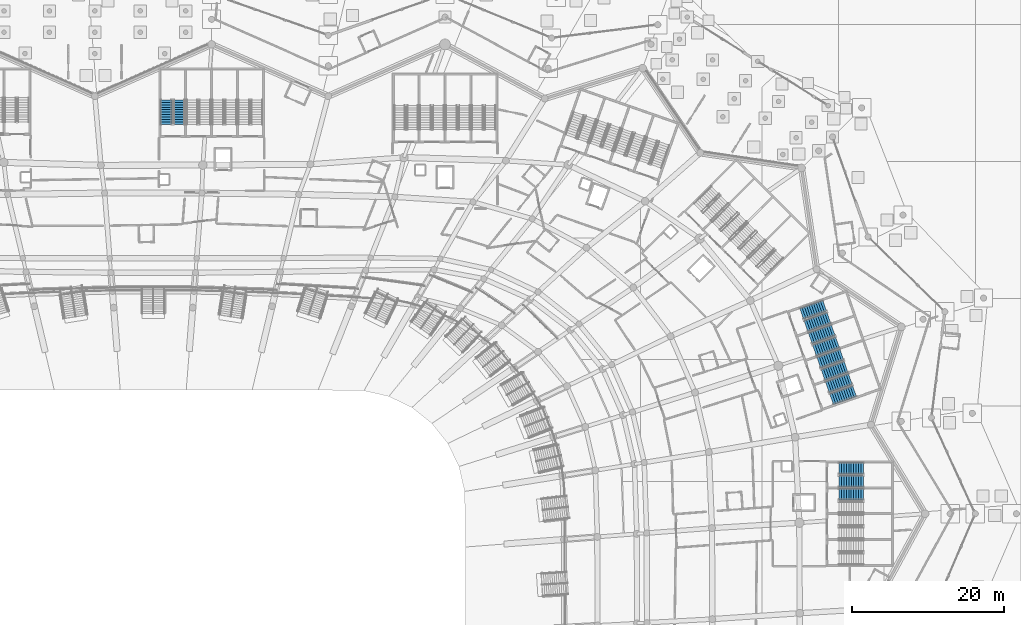
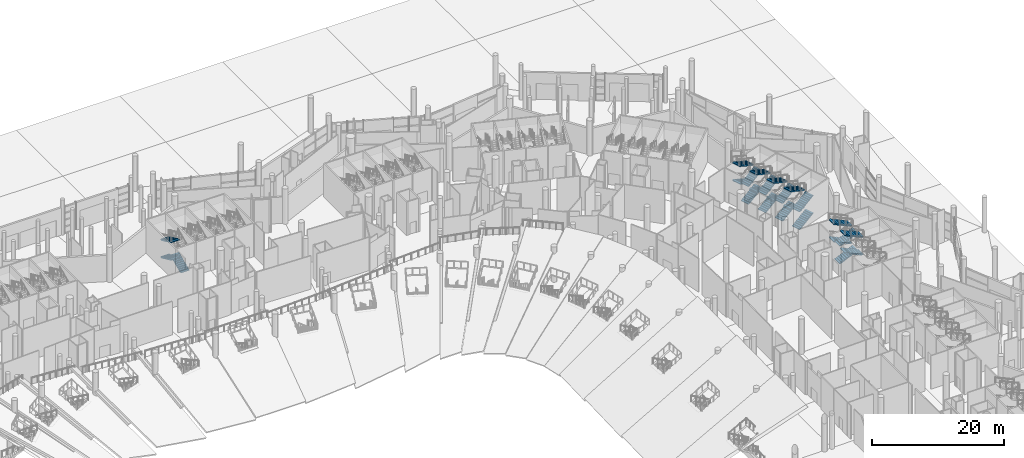
# One storey, part 179 of 255: 25 stair flights, 7 elements without a shape of their own.
"""IFC4 building model written with IfcOpenShell, lengths in metres."""

from ifc_helpers import new_model, si_unit, direction, frame, origin, place, context, subcontext, project, spatial, polyline, outline, extrude, material, type_object, element, aggregate, save


model = new_model("IFC4")

# Units and contexts
model_context = context("Model", 3, precision=1e-05, world=origin(), true_north=direction((0.0, 1.0)))
body_context = subcontext(model_context, "Body", "Model", "MODEL_VIEW")
ifc_project = project(units=[si_unit("LENGTHUNIT", "METRE"), si_unit("AREAUNIT", "SQUARE_METRE"), si_unit("VOLUMEUNIT", "CUBIC_METRE"), si_unit("PLANEANGLEUNIT", "RADIAN"), si_unit("MASSUNIT", "GRAM", prefix="KILO")], contexts=[model_context])

# Site, building, storey
site_placement = place(None, origin())
site = spatial("IfcSite", under=ifc_project, at=site_placement, CompositionType="ELEMENT")
building_placement = place(site_placement, origin())
building = spatial("IfcBuilding", under=site, at=building_placement, Name="Meseta Stadium", CompositionType="ELEMENT")
storey_placement = place(building_placement, origin())
storey = spatial("IfcBuildingStorey", under=building, at=storey_placement, Name="L00", CompositionType="ELEMENT", Elevation=0.0)

# Stair, stair flights
ifc_material_1 = material(Name="Concrete C40/50", Category="concrete")
stair_type = type_object("IfcStairType", Name="Exit stair 4 flights 148 mm risers", PredefinedType="HALF_TURN_STAIR", material=ifc_material_1)
stair_1_placement = place(storey_placement, origin())
stair_1 = element("IfcStair", 1, at=stair_1_placement, inside=storey, type_object=stair_type, Name="ST19 L00", PredefinedType="HALF_TURN_STAIR")
ifc_material_2 = material(Name="Concrete C40/50", Category="concrete")
stair_flight_type = type_object("IfcStairFlightType", Name="Exit stair flight 148 mm risers, 4 per storey", PredefinedType="STRAIGHT", material=ifc_material_2)
stair_flight_1_placement = place(storey_placement, frame((93.300048828125, 46.300048828125, 1.625), z_axis=(0.0, 0.0, 1.0), x_axis=(-1.0, 0.0, 0.0)))
stair_flight_1 = element("IfcStairFlight", 2, at=stair_flight_1_placement, type_object=stair_flight_type, Name="ST19 L00 flight 2", NumberOfRisers=11, NumberOfTreads=10, PredefinedType="STRAIGHT", RiserHeight=0.147727273, TreadLength=0.32, context=body_context, shape_type="SweptSolid", body=[
    extrude(outline(polyline([(0.0, 0.0), (0.0, 0.147705078125), (0.320068359375, 0.147705078125), (0.320068359375, 0.29541015625), (0.639892578125, 0.29541015625), (0.639892578125, 0.443115234375), (0.9599609375, 0.443115234375), (0.9599609375, 0.5908203125), (1.280029296875, 0.5908203125), (1.280029296875, 0.738525390625), (1.60009765625, 0.738525390625), (1.60009765625, 0.886474609375), (1.919921875, 0.886474609375), (1.919921875, 1.0341796875), (2.239990234375, 1.0341796875), (2.239990234375, 1.181884765625), (2.56005859375, 1.181884765625), (2.56005859375, 1.32958984375), (2.8798828125, 1.32958984375), (2.8798828125, 1.477294921875), (3.199951171875, 1.477294921875), (3.199951171875, 1.312255859375), (0.357666015625, 0.0), (0.0, 0.0)])), frame((0.0, 0.75, 0.0), z_axis=(0.0, -1.0, 0.0), x_axis=(1.0, 0.0, 0.0)), (0.0, 0.0, 1.0), 1.5),
])
stair_flight_2_placement = place(storey_placement, frame((93.300048828125, 46.300048828125, 4.875), z_axis=(0.0, 0.0, 1.0), x_axis=(-1.0, 0.0, 0.0)))
stair_flight_2 = element("IfcStairFlight", 3, at=stair_flight_2_placement, type_object=stair_flight_type, Name="ST19 L00 flight 4", NumberOfRisers=11, NumberOfTreads=10, PredefinedType="STRAIGHT", RiserHeight=0.147727273, TreadLength=0.32, context=body_context, shape_type="SweptSolid", body=[
    extrude(outline(polyline([(0.0, 0.0), (0.0, 0.147705078125), (0.320068359375, 0.147705078125), (0.320068359375, 0.29541015625), (0.639892578125, 0.29541015625), (0.639892578125, 0.443115234375), (0.9599609375, 0.443115234375), (0.9599609375, 0.5908203125), (1.280029296875, 0.5908203125), (1.280029296875, 0.738525390625), (1.60009765625, 0.738525390625), (1.60009765625, 0.886474609375), (1.919921875, 0.886474609375), (1.919921875, 1.0341796875), (2.239990234375, 1.0341796875), (2.239990234375, 1.181884765625), (2.56005859375, 1.181884765625), (2.56005859375, 1.32958984375), (2.8798828125, 1.32958984375), (2.8798828125, 1.477294921875), (3.199951171875, 1.477294921875), (3.199951171875, 1.312255859375), (0.357666015625, 0.0), (0.0, 0.0)])), frame((0.0, 0.75, 0.0), z_axis=(0.0, -1.0, 0.0), x_axis=(1.0, 0.0, 0.0)), (0.0, 0.0, 1.0), 1.5),
])
aggregate(stair_1, [stair_flight_1, stair_flight_2])

stair_2_placement = place(storey_placement, origin())
stair_2 = element("IfcStair", 4, at=stair_2_placement, inside=storey, type_object=stair_type, Name="ST20 L00", PredefinedType="HALF_TURN_STAIR")
stair_flight_3_placement = place(storey_placement, frame((90.10009765625, 48.0, 0.0), z_axis=(0.0, 0.0, 1.0), x_axis=(1.0, 0.0, 0.0)))
stair_flight_3 = element("IfcStairFlight", 5, at=stair_flight_3_placement, type_object=stair_flight_type, Name="ST20 L00 flight 1", NumberOfRisers=11, NumberOfTreads=10, PredefinedType="STRAIGHT", RiserHeight=0.147727273, TreadLength=0.32, context=body_context, shape_type="SweptSolid", body=[
    extrude(outline(polyline([(0.0, 0.0), (0.0, 0.147705078125), (0.320068359375, 0.147705078125), (0.320068359375, 0.29541015625), (0.639892578125, 0.29541015625), (0.639892578125, 0.443115234375), (0.9599609375, 0.443115234375), (0.9599609375, 0.5908203125), (1.280029296875, 0.5908203125), (1.280029296875, 0.738525390625), (1.60009765625, 0.738525390625), (1.60009765625, 0.886474609375), (1.919921875, 0.886474609375), (1.919921875, 1.0341796875), (2.239990234375, 1.0341796875), (2.239990234375, 1.181884765625), (2.56005859375, 1.181884765625), (2.56005859375, 1.32958984375), (2.8798828125, 1.32958984375), (2.8798828125, 1.477294921875), (3.199951171875, 1.477294921875), (3.199951171875, 1.312255859375), (0.357666015625, 0.0), (0.0, 0.0)])), frame((0.0, 0.75, 0.0), z_axis=(0.0, -1.0, 0.0), x_axis=(1.0, 0.0, 0.0)), (0.0, 0.0, 1.0), 1.5),
])
stair_flight_4_placement = place(storey_placement, frame((93.300048828125, 49.699951171875, 1.625), z_axis=(0.0, 0.0, 1.0), x_axis=(-1.0, 0.0, 0.0)))
stair_flight_4 = element("IfcStairFlight", 6, at=stair_flight_4_placement, type_object=stair_flight_type, Name="ST20 L00 flight 2", NumberOfRisers=11, NumberOfTreads=10, PredefinedType="STRAIGHT", RiserHeight=0.147727273, TreadLength=0.32, context=body_context, shape_type="SweptSolid", body=[
    extrude(outline(polyline([(0.0, 0.0), (0.0, 0.147705078125), (0.320068359375, 0.147705078125), (0.320068359375, 0.29541015625), (0.639892578125, 0.29541015625), (0.639892578125, 0.443115234375), (0.9599609375, 0.443115234375), (0.9599609375, 0.5908203125), (1.280029296875, 0.5908203125), (1.280029296875, 0.738525390625), (1.60009765625, 0.738525390625), (1.60009765625, 0.886474609375), (1.919921875, 0.886474609375), (1.919921875, 1.0341796875), (2.239990234375, 1.0341796875), (2.239990234375, 1.181884765625), (2.56005859375, 1.181884765625), (2.56005859375, 1.32958984375), (2.8798828125, 1.32958984375), (2.8798828125, 1.477294921875), (3.199951171875, 1.477294921875), (3.199951171875, 1.312255859375), (0.357666015625, 0.0), (0.0, 0.0)])), frame((0.0, 0.75, 0.0), z_axis=(0.0, -1.0, 0.0), x_axis=(1.0, 0.0, 0.0)), (0.0, 0.0, 1.0), 1.5),
])
stair_flight_5_placement = place(storey_placement, frame((90.10009765625, 48.0, 3.25), z_axis=(0.0, 0.0, 1.0), x_axis=(1.0, 0.0, 0.0)))
stair_flight_5 = element("IfcStairFlight", 7, at=stair_flight_5_placement, type_object=stair_flight_type, Name="ST20 L00 flight 3", NumberOfRisers=11, NumberOfTreads=10, PredefinedType="STRAIGHT", RiserHeight=0.147727273, TreadLength=0.32, context=body_context, shape_type="SweptSolid", body=[
    extrude(outline(polyline([(0.0, 0.0), (0.0, 0.147705078125), (0.320068359375, 0.147705078125), (0.320068359375, 0.29541015625), (0.639892578125, 0.29541015625), (0.639892578125, 0.443115234375), (0.9599609375, 0.443115234375), (0.9599609375, 0.5908203125), (1.280029296875, 0.5908203125), (1.280029296875, 0.738525390625), (1.60009765625, 0.738525390625), (1.60009765625, 0.886474609375), (1.919921875, 0.886474609375), (1.919921875, 1.0341796875), (2.239990234375, 1.0341796875), (2.239990234375, 1.181884765625), (2.56005859375, 1.181884765625), (2.56005859375, 1.32958984375), (2.8798828125, 1.32958984375), (2.8798828125, 1.477294921875), (3.199951171875, 1.477294921875), (3.199951171875, 1.312255859375), (0.357666015625, 0.0), (0.0, 0.0)])), frame((0.0, 0.75, 0.0), z_axis=(0.0, -1.0, 0.0), x_axis=(1.0, 0.0, 0.0)), (0.0, 0.0, 1.0), 1.5),
])
stair_flight_6_placement = place(storey_placement, frame((93.300048828125, 49.699951171875, 4.875), z_axis=(0.0, 0.0, 1.0), x_axis=(-1.0, 0.0, 0.0)))
stair_flight_6 = element("IfcStairFlight", 8, at=stair_flight_6_placement, type_object=stair_flight_type, Name="ST20 L00 flight 4", NumberOfRisers=11, NumberOfTreads=10, PredefinedType="STRAIGHT", RiserHeight=0.147727273, TreadLength=0.32, context=body_context, shape_type="SweptSolid", body=[
    extrude(outline(polyline([(0.0, 0.0), (0.0, 0.147705078125), (0.320068359375, 0.147705078125), (0.320068359375, 0.29541015625), (0.639892578125, 0.29541015625), (0.639892578125, 0.443115234375), (0.9599609375, 0.443115234375), (0.9599609375, 0.5908203125), (1.280029296875, 0.5908203125), (1.280029296875, 0.738525390625), (1.60009765625, 0.738525390625), (1.60009765625, 0.886474609375), (1.919921875, 0.886474609375), (1.919921875, 1.0341796875), (2.239990234375, 1.0341796875), (2.239990234375, 1.181884765625), (2.56005859375, 1.181884765625), (2.56005859375, 1.32958984375), (2.8798828125, 1.32958984375), (2.8798828125, 1.477294921875), (3.199951171875, 1.477294921875), (3.199951171875, 1.312255859375), (0.357666015625, 0.0), (0.0, 0.0)])), frame((0.0, 0.75, 0.0), z_axis=(0.0, -1.0, 0.0), x_axis=(1.0, 0.0, 0.0)), (0.0, 0.0, 1.0), 1.5),
])
aggregate(stair_2, [stair_flight_3, stair_flight_4, stair_flight_5, stair_flight_6])

stair_3_placement = place(storey_placement, origin())
stair_3 = element("IfcStair", 9, at=stair_3_placement, inside=storey, type_object=stair_type, Name="ST21 L00", PredefinedType="HALF_TURN_STAIR")
stair_flight_7_placement = place(storey_placement, frame((89.118408203125, 58.7841796875, 0.0), z_axis=(0.0, 0.0, 1.0), x_axis=(0.943883331955, 0.330279057248, 0.0)))
stair_flight_7 = element("IfcStairFlight", 10, at=stair_flight_7_placement, type_object=stair_flight_type, Name="ST21 L00 flight 1", NumberOfRisers=11, NumberOfTreads=10, PredefinedType="STRAIGHT", RiserHeight=0.147727273, TreadLength=0.32, context=body_context, shape_type="SweptSolid", body=[
    extrude(outline(polyline([(0.0, 0.0), (0.0, 0.147705078125), (0.320068359375, 0.147705078125), (0.320068359375, 0.29541015625), (0.639892578125, 0.29541015625), (0.639892578125, 0.443115234375), (0.9599609375, 0.443115234375), (0.9599609375, 0.5908203125), (1.280029296875, 0.5908203125), (1.280029296875, 0.738525390625), (1.60009765625, 0.738525390625), (1.60009765625, 0.886474609375), (1.919921875, 0.886474609375), (1.919921875, 1.0341796875), (2.239990234375, 1.0341796875), (2.239990234375, 1.181884765625), (2.56005859375, 1.181884765625), (2.56005859375, 1.32958984375), (2.8798828125, 1.32958984375), (2.8798828125, 1.477294921875), (3.199951171875, 1.477294921875), (3.199951171875, 1.312255859375), (0.357666015625, 0.0), (0.0, 0.0)])), frame((0.0, 0.75, 0.0), z_axis=(0.0, -1.0, 0.0), x_axis=(1.0, 0.0, 0.0)), (0.0, 0.0, 1.0), 1.5),
])
stair_flight_8_placement = place(storey_placement, frame((91.577392578125, 61.445556640625, 1.625), z_axis=(0.0, 0.0, 1.0), x_axis=(-0.943883331955, -0.330279057248, 0.0)))
stair_flight_8 = element("IfcStairFlight", 11, at=stair_flight_8_placement, type_object=stair_flight_type, Name="ST21 L00 flight 2", NumberOfRisers=11, NumberOfTreads=10, PredefinedType="STRAIGHT", RiserHeight=0.147727273, TreadLength=0.32, context=body_context, shape_type="SweptSolid", body=[
    extrude(outline(polyline([(0.0, 0.0), (0.0, 0.147705078125), (0.320068359375, 0.147705078125), (0.320068359375, 0.29541015625), (0.639892578125, 0.29541015625), (0.639892578125, 0.443115234375), (0.9599609375, 0.443115234375), (0.9599609375, 0.5908203125), (1.280029296875, 0.5908203125), (1.280029296875, 0.738525390625), (1.60009765625, 0.738525390625), (1.60009765625, 0.886474609375), (1.919921875, 0.886474609375), (1.919921875, 1.0341796875), (2.239990234375, 1.0341796875), (2.239990234375, 1.181884765625), (2.56005859375, 1.181884765625), (2.56005859375, 1.32958984375), (2.8798828125, 1.32958984375), (2.8798828125, 1.477294921875), (3.199951171875, 1.477294921875), (3.199951171875, 1.312255859375), (0.357666015625, 0.0), (0.0, 0.0)])), frame((0.0, 0.75, 0.0), z_axis=(0.0, -1.0, 0.0), x_axis=(1.0, 0.0, 0.0)), (0.0, 0.0, 1.0), 1.5),
])
stair_flight_9_placement = place(storey_placement, frame((89.118408203125, 58.7841796875, 3.25), z_axis=(0.0, 0.0, 1.0), x_axis=(0.943883331955, 0.330279057248, 0.0)))
stair_flight_9 = element("IfcStairFlight", 12, at=stair_flight_9_placement, type_object=stair_flight_type, Name="ST21 L00 flight 3", NumberOfRisers=11, NumberOfTreads=10, PredefinedType="STRAIGHT", RiserHeight=0.147727273, TreadLength=0.32, context=body_context, shape_type="SweptSolid", body=[
    extrude(outline(polyline([(0.0, 0.0), (0.0, 0.147705078125), (0.320068359375, 0.147705078125), (0.320068359375, 0.29541015625), (0.639892578125, 0.29541015625), (0.639892578125, 0.443115234375), (0.9599609375, 0.443115234375), (0.9599609375, 0.5908203125), (1.280029296875, 0.5908203125), (1.280029296875, 0.738525390625), (1.60009765625, 0.738525390625), (1.60009765625, 0.886474609375), (1.919921875, 0.886474609375), (1.919921875, 1.0341796875), (2.239990234375, 1.0341796875), (2.239990234375, 1.181884765625), (2.56005859375, 1.181884765625), (2.56005859375, 1.32958984375), (2.8798828125, 1.32958984375), (2.8798828125, 1.477294921875), (3.199951171875, 1.477294921875), (3.199951171875, 1.312255859375), (0.357666015625, 0.0), (0.0, 0.0)])), frame((0.0, 0.75, 0.0), z_axis=(0.0, -1.0, 0.0), x_axis=(1.0, 0.0, 0.0)), (0.0, 0.0, 1.0), 1.5),
])
stair_flight_10_placement = place(storey_placement, frame((91.577392578125, 61.445556640625, 4.875), z_axis=(0.0, 0.0, 1.0), x_axis=(-0.943883331955, -0.330279057248, 0.0)))
stair_flight_10 = element("IfcStairFlight", 13, at=stair_flight_10_placement, type_object=stair_flight_type, Name="ST21 L00 flight 4", NumberOfRisers=11, NumberOfTreads=10, PredefinedType="STRAIGHT", RiserHeight=0.147727273, TreadLength=0.32, context=body_context, shape_type="SweptSolid", body=[
    extrude(outline(polyline([(0.0, 0.0), (0.0, 0.147705078125), (0.320068359375, 0.147705078125), (0.320068359375, 0.29541015625), (0.639892578125, 0.29541015625), (0.639892578125, 0.443115234375), (0.9599609375, 0.443115234375), (0.9599609375, 0.5908203125), (1.280029296875, 0.5908203125), (1.280029296875, 0.738525390625), (1.60009765625, 0.738525390625), (1.60009765625, 0.886474609375), (1.919921875, 0.886474609375), (1.919921875, 1.0341796875), (2.239990234375, 1.0341796875), (2.239990234375, 1.181884765625), (2.56005859375, 1.181884765625), (2.56005859375, 1.32958984375), (2.8798828125, 1.32958984375), (2.8798828125, 1.477294921875), (3.199951171875, 1.477294921875), (3.199951171875, 1.312255859375), (0.357666015625, 0.0), (0.0, 0.0)])), frame((0.0, 0.75, 0.0), z_axis=(0.0, -1.0, 0.0), x_axis=(1.0, 0.0, 0.0)), (0.0, 0.0, 1.0), 1.5),
])
aggregate(stair_3, [stair_flight_7, stair_flight_8, stair_flight_9, stair_flight_10])

stair_4_placement = place(storey_placement, origin())
stair_4 = element("IfcStair", 14, at=stair_4_placement, inside=storey, type_object=stair_type, Name="ST22 L00", PredefinedType="HALF_TURN_STAIR")
stair_flight_11_placement = place(storey_placement, frame((87.99560546875, 61.9931640625, 0.0), z_axis=(0.0, 0.0, 1.0), x_axis=(0.943883331955, 0.330279057248, 0.0)))
stair_flight_11 = element("IfcStairFlight", 15, at=stair_flight_11_placement, type_object=stair_flight_type, Name="ST22 L00 flight 1", NumberOfRisers=11, NumberOfTreads=10, PredefinedType="STRAIGHT", RiserHeight=0.147727273, TreadLength=0.32, context=body_context, shape_type="SweptSolid", body=[
    extrude(outline(polyline([(0.0, 0.0), (0.0, 0.147705078125), (0.320068359375, 0.147705078125), (0.320068359375, 0.29541015625), (0.639892578125, 0.29541015625), (0.639892578125, 0.443115234375), (0.9599609375, 0.443115234375), (0.9599609375, 0.5908203125), (1.280029296875, 0.5908203125), (1.280029296875, 0.738525390625), (1.60009765625, 0.738525390625), (1.60009765625, 0.886474609375), (1.919921875, 0.886474609375), (1.919921875, 1.0341796875), (2.239990234375, 1.0341796875), (2.239990234375, 1.181884765625), (2.56005859375, 1.181884765625), (2.56005859375, 1.32958984375), (2.8798828125, 1.32958984375), (2.8798828125, 1.477294921875), (3.199951171875, 1.477294921875), (3.199951171875, 1.312255859375), (0.357666015625, 0.0), (0.0, 0.0)])), frame((0.0, 0.75, 0.0), z_axis=(0.0, -1.0, 0.0), x_axis=(1.0, 0.0, 0.0)), (0.0, 0.0, 1.0), 1.5),
])
stair_flight_12_placement = place(storey_placement, frame((90.45458984375, 64.65478515625, 1.625), z_axis=(0.0, 0.0, 1.0), x_axis=(-0.943883331955, -0.330279057248, 0.0)))
stair_flight_12 = element("IfcStairFlight", 16, at=stair_flight_12_placement, type_object=stair_flight_type, Name="ST22 L00 flight 2", NumberOfRisers=11, NumberOfTreads=10, PredefinedType="STRAIGHT", RiserHeight=0.147727273, TreadLength=0.32, context=body_context, shape_type="SweptSolid", body=[
    extrude(outline(polyline([(0.0, 0.0), (0.0, 0.147705078125), (0.320068359375, 0.147705078125), (0.320068359375, 0.29541015625), (0.639892578125, 0.29541015625), (0.639892578125, 0.443115234375), (0.9599609375, 0.443115234375), (0.9599609375, 0.5908203125), (1.280029296875, 0.5908203125), (1.280029296875, 0.738525390625), (1.60009765625, 0.738525390625), (1.60009765625, 0.886474609375), (1.919921875, 0.886474609375), (1.919921875, 1.0341796875), (2.239990234375, 1.0341796875), (2.239990234375, 1.181884765625), (2.56005859375, 1.181884765625), (2.56005859375, 1.32958984375), (2.8798828125, 1.32958984375), (2.8798828125, 1.477294921875), (3.199951171875, 1.477294921875), (3.199951171875, 1.312255859375), (0.357666015625, 0.0), (0.0, 0.0)])), frame((0.0, 0.75, 0.0), z_axis=(0.0, -1.0, 0.0), x_axis=(1.0, 0.0, 0.0)), (0.0, 0.0, 1.0), 1.5),
])
stair_flight_13_placement = place(storey_placement, frame((87.99560546875, 61.9931640625, 3.25), z_axis=(0.0, 0.0, 1.0), x_axis=(0.943883331955, 0.330279057248, 0.0)))
stair_flight_13 = element("IfcStairFlight", 17, at=stair_flight_13_placement, type_object=stair_flight_type, Name="ST22 L00 flight 3", NumberOfRisers=11, NumberOfTreads=10, PredefinedType="STRAIGHT", RiserHeight=0.147727273, TreadLength=0.32, context=body_context, shape_type="SweptSolid", body=[
    extrude(outline(polyline([(0.0, 0.0), (0.0, 0.147705078125), (0.320068359375, 0.147705078125), (0.320068359375, 0.29541015625), (0.639892578125, 0.29541015625), (0.639892578125, 0.443115234375), (0.9599609375, 0.443115234375), (0.9599609375, 0.5908203125), (1.280029296875, 0.5908203125), (1.280029296875, 0.738525390625), (1.60009765625, 0.738525390625), (1.60009765625, 0.886474609375), (1.919921875, 0.886474609375), (1.919921875, 1.0341796875), (2.239990234375, 1.0341796875), (2.239990234375, 1.181884765625), (2.56005859375, 1.181884765625), (2.56005859375, 1.32958984375), (2.8798828125, 1.32958984375), (2.8798828125, 1.477294921875), (3.199951171875, 1.477294921875), (3.199951171875, 1.312255859375), (0.357666015625, 0.0), (0.0, 0.0)])), frame((0.0, 0.75, 0.0), z_axis=(0.0, -1.0, 0.0), x_axis=(1.0, 0.0, 0.0)), (0.0, 0.0, 1.0), 1.5),
])
stair_flight_14_placement = place(storey_placement, frame((90.45458984375, 64.65478515625, 4.875), z_axis=(0.0, 0.0, 1.0), x_axis=(-0.943883331955, -0.330279057248, 0.0)))
stair_flight_14 = element("IfcStairFlight", 18, at=stair_flight_14_placement, type_object=stair_flight_type, Name="ST22 L00 flight 4", NumberOfRisers=11, NumberOfTreads=10, PredefinedType="STRAIGHT", RiserHeight=0.147727273, TreadLength=0.32, context=body_context, shape_type="SweptSolid", body=[
    extrude(outline(polyline([(0.0, 0.0), (0.0, 0.147705078125), (0.320068359375, 0.147705078125), (0.320068359375, 0.29541015625), (0.639892578125, 0.29541015625), (0.639892578125, 0.443115234375), (0.9599609375, 0.443115234375), (0.9599609375, 0.5908203125), (1.280029296875, 0.5908203125), (1.280029296875, 0.738525390625), (1.60009765625, 0.738525390625), (1.60009765625, 0.886474609375), (1.919921875, 0.886474609375), (1.919921875, 1.0341796875), (2.239990234375, 1.0341796875), (2.239990234375, 1.181884765625), (2.56005859375, 1.181884765625), (2.56005859375, 1.32958984375), (2.8798828125, 1.32958984375), (2.8798828125, 1.477294921875), (3.199951171875, 1.477294921875), (3.199951171875, 1.312255859375), (0.357666015625, 0.0), (0.0, 0.0)])), frame((0.0, 0.75, 0.0), z_axis=(0.0, -1.0, 0.0), x_axis=(1.0, 0.0, 0.0)), (0.0, 0.0, 1.0), 1.5),
])
aggregate(stair_4, [stair_flight_11, stair_flight_12, stair_flight_13, stair_flight_14])

stair_5_placement = place(storey_placement, origin())
stair_5 = element("IfcStair", 19, at=stair_5_placement, inside=storey, type_object=stair_type, Name="ST23 L00", PredefinedType="HALF_TURN_STAIR")
stair_flight_15_placement = place(storey_placement, frame((86.87255859375, 65.202392578125, 0.0), z_axis=(0.0, 0.0, 1.0), x_axis=(0.943883331955, 0.330279057248, 0.0)))
stair_flight_15 = element("IfcStairFlight", 20, at=stair_flight_15_placement, type_object=stair_flight_type, Name="ST23 L00 flight 1", NumberOfRisers=11, NumberOfTreads=10, PredefinedType="STRAIGHT", RiserHeight=0.147727273, TreadLength=0.32, context=body_context, shape_type="SweptSolid", body=[
    extrude(outline(polyline([(0.0, 0.0), (0.0, 0.147705078125), (0.320068359375, 0.147705078125), (0.320068359375, 0.29541015625), (0.639892578125, 0.29541015625), (0.639892578125, 0.443115234375), (0.9599609375, 0.443115234375), (0.9599609375, 0.5908203125), (1.280029296875, 0.5908203125), (1.280029296875, 0.738525390625), (1.60009765625, 0.738525390625), (1.60009765625, 0.886474609375), (1.919921875, 0.886474609375), (1.919921875, 1.0341796875), (2.239990234375, 1.0341796875), (2.239990234375, 1.181884765625), (2.56005859375, 1.181884765625), (2.56005859375, 1.32958984375), (2.8798828125, 1.32958984375), (2.8798828125, 1.477294921875), (3.199951171875, 1.477294921875), (3.199951171875, 1.312255859375), (0.357666015625, 0.0), (0.0, 0.0)])), frame((0.0, 0.75, 0.0), z_axis=(0.0, -1.0, 0.0), x_axis=(1.0, 0.0, 0.0)), (0.0, 0.0, 1.0), 1.5),
])
stair_flight_16_placement = place(storey_placement, frame((89.33154296875, 67.864013671875, 1.625), z_axis=(0.0, 0.0, 1.0), x_axis=(-0.943883331955, -0.330279057248, 0.0)))
stair_flight_16 = element("IfcStairFlight", 21, at=stair_flight_16_placement, type_object=stair_flight_type, Name="ST23 L00 flight 2", NumberOfRisers=11, NumberOfTreads=10, PredefinedType="STRAIGHT", RiserHeight=0.147727273, TreadLength=0.32, context=body_context, shape_type="SweptSolid", body=[
    extrude(outline(polyline([(0.0, 0.0), (0.0, 0.147705078125), (0.320068359375, 0.147705078125), (0.320068359375, 0.29541015625), (0.639892578125, 0.29541015625), (0.639892578125, 0.443115234375), (0.9599609375, 0.443115234375), (0.9599609375, 0.5908203125), (1.280029296875, 0.5908203125), (1.280029296875, 0.738525390625), (1.60009765625, 0.738525390625), (1.60009765625, 0.886474609375), (1.919921875, 0.886474609375), (1.919921875, 1.0341796875), (2.239990234375, 1.0341796875), (2.239990234375, 1.181884765625), (2.56005859375, 1.181884765625), (2.56005859375, 1.32958984375), (2.8798828125, 1.32958984375), (2.8798828125, 1.477294921875), (3.199951171875, 1.477294921875), (3.199951171875, 1.312255859375), (0.357666015625, 0.0), (0.0, 0.0)])), frame((0.0, 0.75, 0.0), z_axis=(0.0, -1.0, 0.0), x_axis=(1.0, 0.0, 0.0)), (0.0, 0.0, 1.0), 1.5),
])
stair_flight_17_placement = place(storey_placement, frame((86.87255859375, 65.202392578125, 3.25), z_axis=(0.0, 0.0, 1.0), x_axis=(0.943883331955, 0.330279057248, 0.0)))
stair_flight_17 = element("IfcStairFlight", 22, at=stair_flight_17_placement, type_object=stair_flight_type, Name="ST23 L00 flight 3", NumberOfRisers=11, NumberOfTreads=10, PredefinedType="STRAIGHT", RiserHeight=0.147727273, TreadLength=0.32, context=body_context, shape_type="SweptSolid", body=[
    extrude(outline(polyline([(0.0, 0.0), (0.0, 0.147705078125), (0.320068359375, 0.147705078125), (0.320068359375, 0.29541015625), (0.639892578125, 0.29541015625), (0.639892578125, 0.443115234375), (0.9599609375, 0.443115234375), (0.9599609375, 0.5908203125), (1.280029296875, 0.5908203125), (1.280029296875, 0.738525390625), (1.60009765625, 0.738525390625), (1.60009765625, 0.886474609375), (1.919921875, 0.886474609375), (1.919921875, 1.0341796875), (2.239990234375, 1.0341796875), (2.239990234375, 1.181884765625), (2.56005859375, 1.181884765625), (2.56005859375, 1.32958984375), (2.8798828125, 1.32958984375), (2.8798828125, 1.477294921875), (3.199951171875, 1.477294921875), (3.199951171875, 1.312255859375), (0.357666015625, 0.0), (0.0, 0.0)])), frame((0.0, 0.75, 0.0), z_axis=(0.0, -1.0, 0.0), x_axis=(1.0, 0.0, 0.0)), (0.0, 0.0, 1.0), 1.5),
])
stair_flight_18_placement = place(storey_placement, frame((89.33154296875, 67.864013671875, 4.875), z_axis=(0.0, 0.0, 1.0), x_axis=(-0.943883331955, -0.330279057248, 0.0)))
stair_flight_18 = element("IfcStairFlight", 23, at=stair_flight_18_placement, type_object=stair_flight_type, Name="ST23 L00 flight 4", NumberOfRisers=11, NumberOfTreads=10, PredefinedType="STRAIGHT", RiserHeight=0.147727273, TreadLength=0.32, context=body_context, shape_type="SweptSolid", body=[
    extrude(outline(polyline([(0.0, 0.0), (0.0, 0.147705078125), (0.320068359375, 0.147705078125), (0.320068359375, 0.29541015625), (0.639892578125, 0.29541015625), (0.639892578125, 0.443115234375), (0.9599609375, 0.443115234375), (0.9599609375, 0.5908203125), (1.280029296875, 0.5908203125), (1.280029296875, 0.738525390625), (1.60009765625, 0.738525390625), (1.60009765625, 0.886474609375), (1.919921875, 0.886474609375), (1.919921875, 1.0341796875), (2.239990234375, 1.0341796875), (2.239990234375, 1.181884765625), (2.56005859375, 1.181884765625), (2.56005859375, 1.32958984375), (2.8798828125, 1.32958984375), (2.8798828125, 1.477294921875), (3.199951171875, 1.477294921875), (3.199951171875, 1.312255859375), (0.357666015625, 0.0), (0.0, 0.0)])), frame((0.0, 0.75, 0.0), z_axis=(0.0, -1.0, 0.0), x_axis=(1.0, 0.0, 0.0)), (0.0, 0.0, 1.0), 1.5),
])
aggregate(stair_5, [stair_flight_15, stair_flight_16, stair_flight_17, stair_flight_18])

stair_6_placement = place(storey_placement, origin())
stair_6 = element("IfcStair", 24, at=stair_6_placement, inside=storey, type_object=stair_type, Name="ST24 L00", PredefinedType="HALF_TURN_STAIR")
stair_flight_19_placement = place(storey_placement, frame((85.74951171875, 68.41162109375, 0.0), z_axis=(0.0, 0.0, 1.0), x_axis=(0.943883331955, 0.330279057248, 0.0)))
stair_flight_19 = element("IfcStairFlight", 25, at=stair_flight_19_placement, type_object=stair_flight_type, Name="ST24 L00 flight 1", NumberOfRisers=11, NumberOfTreads=10, PredefinedType="STRAIGHT", RiserHeight=0.147727273, TreadLength=0.32, context=body_context, shape_type="SweptSolid", body=[
    extrude(outline(polyline([(0.0, 0.0), (0.0, 0.147705078125), (0.320068359375, 0.147705078125), (0.320068359375, 0.29541015625), (0.639892578125, 0.29541015625), (0.639892578125, 0.443115234375), (0.9599609375, 0.443115234375), (0.9599609375, 0.5908203125), (1.280029296875, 0.5908203125), (1.280029296875, 0.738525390625), (1.60009765625, 0.738525390625), (1.60009765625, 0.886474609375), (1.919921875, 0.886474609375), (1.919921875, 1.0341796875), (2.239990234375, 1.0341796875), (2.239990234375, 1.181884765625), (2.56005859375, 1.181884765625), (2.56005859375, 1.32958984375), (2.8798828125, 1.32958984375), (2.8798828125, 1.477294921875), (3.199951171875, 1.477294921875), (3.199951171875, 1.312255859375), (0.357666015625, 0.0), (0.0, 0.0)])), frame((0.0, 0.75, 0.0), z_axis=(0.0, -1.0, 0.0), x_axis=(1.0, 0.0, 0.0)), (0.0, 0.0, 1.0), 1.5),
])
stair_flight_20_placement = place(storey_placement, frame((88.20849609375, 71.0732421875, 1.625), z_axis=(0.0, 0.0, 1.0), x_axis=(-0.943883331955, -0.330279057248, 0.0)))
stair_flight_20 = element("IfcStairFlight", 26, at=stair_flight_20_placement, type_object=stair_flight_type, Name="ST24 L00 flight 2", NumberOfRisers=11, NumberOfTreads=10, PredefinedType="STRAIGHT", RiserHeight=0.147727273, TreadLength=0.32, context=body_context, shape_type="SweptSolid", body=[
    extrude(outline(polyline([(0.0, 0.0), (0.0, 0.147705078125), (0.320068359375, 0.147705078125), (0.320068359375, 0.29541015625), (0.639892578125, 0.29541015625), (0.639892578125, 0.443115234375), (0.9599609375, 0.443115234375), (0.9599609375, 0.5908203125), (1.280029296875, 0.5908203125), (1.280029296875, 0.738525390625), (1.60009765625, 0.738525390625), (1.60009765625, 0.886474609375), (1.919921875, 0.886474609375), (1.919921875, 1.0341796875), (2.239990234375, 1.0341796875), (2.239990234375, 1.181884765625), (2.56005859375, 1.181884765625), (2.56005859375, 1.32958984375), (2.8798828125, 1.32958984375), (2.8798828125, 1.477294921875), (3.199951171875, 1.477294921875), (3.199951171875, 1.312255859375), (0.357666015625, 0.0), (0.0, 0.0)])), frame((0.0, 0.75, 0.0), z_axis=(0.0, -1.0, 0.0), x_axis=(1.0, 0.0, 0.0)), (0.0, 0.0, 1.0), 1.5),
])
stair_flight_21_placement = place(storey_placement, frame((85.74951171875, 68.41162109375, 3.25), z_axis=(0.0, 0.0, 1.0), x_axis=(0.943883331955, 0.330279057248, 0.0)))
stair_flight_21 = element("IfcStairFlight", 27, at=stair_flight_21_placement, type_object=stair_flight_type, Name="ST24 L00 flight 3", NumberOfRisers=11, NumberOfTreads=10, PredefinedType="STRAIGHT", RiserHeight=0.147727273, TreadLength=0.32, context=body_context, shape_type="SweptSolid", body=[
    extrude(outline(polyline([(0.0, 0.0), (0.0, 0.147705078125), (0.320068359375, 0.147705078125), (0.320068359375, 0.29541015625), (0.639892578125, 0.29541015625), (0.639892578125, 0.443115234375), (0.9599609375, 0.443115234375), (0.9599609375, 0.5908203125), (1.280029296875, 0.5908203125), (1.280029296875, 0.738525390625), (1.60009765625, 0.738525390625), (1.60009765625, 0.886474609375), (1.919921875, 0.886474609375), (1.919921875, 1.0341796875), (2.239990234375, 1.0341796875), (2.239990234375, 1.181884765625), (2.56005859375, 1.181884765625), (2.56005859375, 1.32958984375), (2.8798828125, 1.32958984375), (2.8798828125, 1.477294921875), (3.199951171875, 1.477294921875), (3.199951171875, 1.312255859375), (0.357666015625, 0.0), (0.0, 0.0)])), frame((0.0, 0.75, 0.0), z_axis=(0.0, -1.0, 0.0), x_axis=(1.0, 0.0, 0.0)), (0.0, 0.0, 1.0), 1.5),
])
stair_flight_22_placement = place(storey_placement, frame((88.20849609375, 71.0732421875, 4.875), z_axis=(0.0, 0.0, 1.0), x_axis=(-0.943883331955, -0.330279057248, 0.0)))
stair_flight_22 = element("IfcStairFlight", 28, at=stair_flight_22_placement, type_object=stair_flight_type, Name="ST24 L00 flight 4", NumberOfRisers=11, NumberOfTreads=10, PredefinedType="STRAIGHT", RiserHeight=0.147727273, TreadLength=0.32, context=body_context, shape_type="SweptSolid", body=[
    extrude(outline(polyline([(0.0, 0.0), (0.0, 0.147705078125), (0.320068359375, 0.147705078125), (0.320068359375, 0.29541015625), (0.639892578125, 0.29541015625), (0.639892578125, 0.443115234375), (0.9599609375, 0.443115234375), (0.9599609375, 0.5908203125), (1.280029296875, 0.5908203125), (1.280029296875, 0.738525390625), (1.60009765625, 0.738525390625), (1.60009765625, 0.886474609375), (1.919921875, 0.886474609375), (1.919921875, 1.0341796875), (2.239990234375, 1.0341796875), (2.239990234375, 1.181884765625), (2.56005859375, 1.181884765625), (2.56005859375, 1.32958984375), (2.8798828125, 1.32958984375), (2.8798828125, 1.477294921875), (3.199951171875, 1.477294921875), (3.199951171875, 1.312255859375), (0.357666015625, 0.0), (0.0, 0.0)])), frame((0.0, 0.75, 0.0), z_axis=(0.0, -1.0, 0.0), x_axis=(1.0, 0.0, 0.0)), (0.0, 0.0, 1.0), 1.5),
])
aggregate(stair_6, [stair_flight_19, stair_flight_20, stair_flight_21, stair_flight_22])

stair_7_placement = place(storey_placement, origin())
stair_7 = element("IfcStair", 29, at=stair_7_placement, inside=storey, type_object=stair_type, Name="ST40 L00", PredefinedType="HALF_TURN_STAIR")
stair_flight_23_placement = place(storey_placement, frame((3.416748046875, 94.89990234375, 0.0), z_axis=(0.0, 0.0, 1.0), x_axis=(0.0, 1.0, 0.0)))
stair_flight_23 = element("IfcStairFlight", 30, at=stair_flight_23_placement, type_object=stair_flight_type, Name="ST40 L00 flight 1", NumberOfRisers=11, NumberOfTreads=10, PredefinedType="STRAIGHT", RiserHeight=0.147727273, TreadLength=0.32, context=body_context, shape_type="SweptSolid", body=[
    extrude(outline(polyline([(0.0, 0.0), (0.0, 0.147705078125), (0.320068359375, 0.147705078125), (0.320068359375, 0.29541015625), (0.639892578125, 0.29541015625), (0.639892578125, 0.443115234375), (0.9599609375, 0.443115234375), (0.9599609375, 0.5908203125), (1.280029296875, 0.5908203125), (1.280029296875, 0.738525390625), (1.60009765625, 0.738525390625), (1.60009765625, 0.886474609375), (1.919921875, 0.886474609375), (1.919921875, 1.0341796875), (2.239990234375, 1.0341796875), (2.239990234375, 1.181884765625), (2.56005859375, 1.181884765625), (2.56005859375, 1.32958984375), (2.8798828125, 1.32958984375), (2.8798828125, 1.477294921875), (3.199951171875, 1.477294921875), (3.199951171875, 1.312255859375), (0.357666015625, 0.0), (0.0, 0.0)])), frame((0.0, 0.75, 0.0), z_axis=(0.0, -1.0, 0.0), x_axis=(1.0, 0.0, 0.0)), (0.0, 0.0, 1.0), 1.5),
])
stair_flight_24_placement = place(storey_placement, frame((1.716552734375, 98.10009765625, 1.625), z_axis=(0.0, 0.0, 1.0), x_axis=(0.0, -1.0, 0.0)))
stair_flight_24 = element("IfcStairFlight", 31, at=stair_flight_24_placement, type_object=stair_flight_type, Name="ST40 L00 flight 2", NumberOfRisers=11, NumberOfTreads=10, PredefinedType="STRAIGHT", RiserHeight=0.147727273, TreadLength=0.32, context=body_context, shape_type="SweptSolid", body=[
    extrude(outline(polyline([(0.0, 0.0), (0.0, 0.147705078125), (0.320068359375, 0.147705078125), (0.320068359375, 0.29541015625), (0.639892578125, 0.29541015625), (0.639892578125, 0.443115234375), (0.9599609375, 0.443115234375), (0.9599609375, 0.5908203125), (1.280029296875, 0.5908203125), (1.280029296875, 0.738525390625), (1.60009765625, 0.738525390625), (1.60009765625, 0.886474609375), (1.919921875, 0.886474609375), (1.919921875, 1.0341796875), (2.239990234375, 1.0341796875), (2.239990234375, 1.181884765625), (2.56005859375, 1.181884765625), (2.56005859375, 1.32958984375), (2.8798828125, 1.32958984375), (2.8798828125, 1.477294921875), (3.199951171875, 1.477294921875), (3.199951171875, 1.312255859375), (0.357666015625, 0.0), (0.0, 0.0)])), frame((0.0, 0.75, 0.0), z_axis=(0.0, -1.0, 0.0), x_axis=(1.0, 0.0, 0.0)), (0.0, 0.0, 1.0), 1.5),
])
stair_flight_25_placement = place(storey_placement, frame((1.716552734375, 98.10009765625, 4.875), z_axis=(0.0, 0.0, 1.0), x_axis=(0.0, -1.0, 0.0)))
stair_flight_25 = element("IfcStairFlight", 32, at=stair_flight_25_placement, type_object=stair_flight_type, Name="ST40 L00 flight 4", NumberOfRisers=11, NumberOfTreads=10, PredefinedType="STRAIGHT", RiserHeight=0.147727273, TreadLength=0.32, context=body_context, shape_type="SweptSolid", body=[
    extrude(outline(polyline([(0.0, 0.0), (0.0, 0.147705078125), (0.320068359375, 0.147705078125), (0.320068359375, 0.29541015625), (0.639892578125, 0.29541015625), (0.639892578125, 0.443115234375), (0.9599609375, 0.443115234375), (0.9599609375, 0.5908203125), (1.280029296875, 0.5908203125), (1.280029296875, 0.738525390625), (1.60009765625, 0.738525390625), (1.60009765625, 0.886474609375), (1.919921875, 0.886474609375), (1.919921875, 1.0341796875), (2.239990234375, 1.0341796875), (2.239990234375, 1.181884765625), (2.56005859375, 1.181884765625), (2.56005859375, 1.32958984375), (2.8798828125, 1.32958984375), (2.8798828125, 1.477294921875), (3.199951171875, 1.477294921875), (3.199951171875, 1.312255859375), (0.357666015625, 0.0), (0.0, 0.0)])), frame((0.0, 0.75, 0.0), z_axis=(0.0, -1.0, 0.0), x_axis=(1.0, 0.0, 0.0)), (0.0, 0.0, 1.0), 1.5),
])
aggregate(stair_7, [stair_flight_23, stair_flight_24, stair_flight_25])

save(model, "model.ifc")
